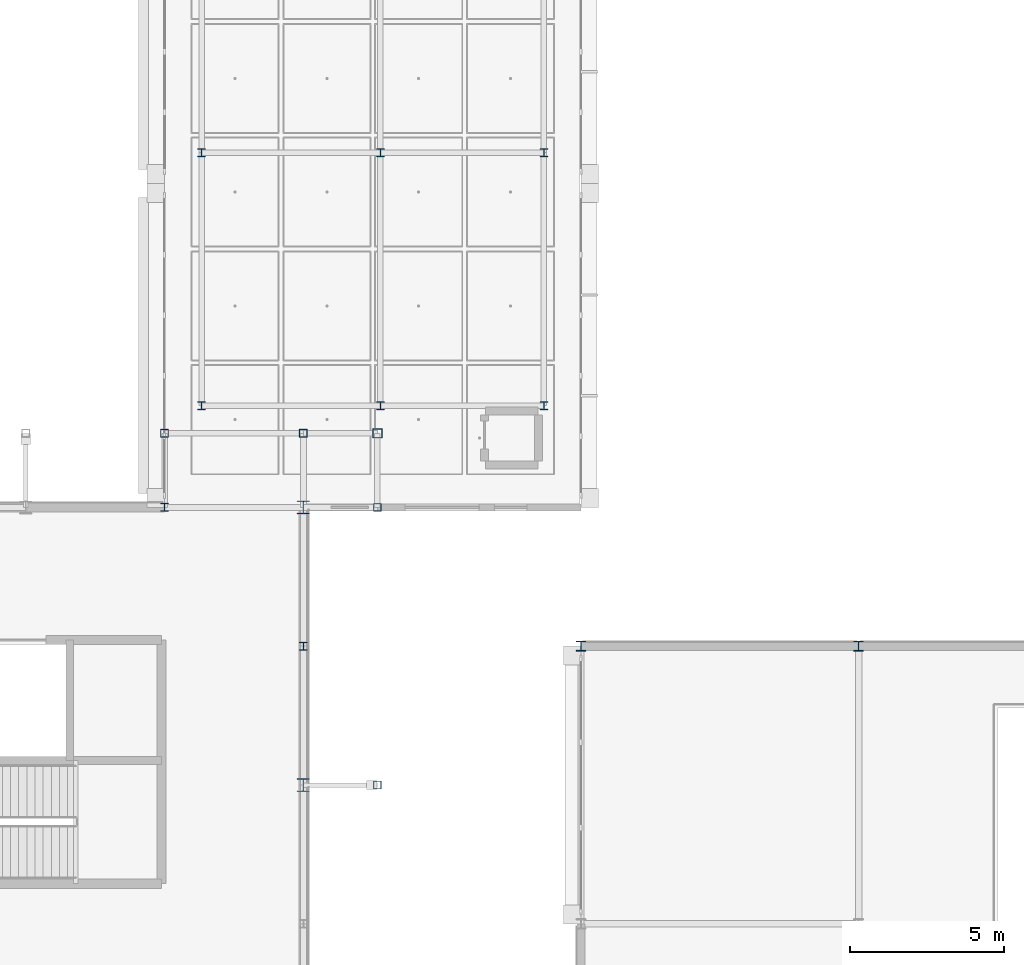
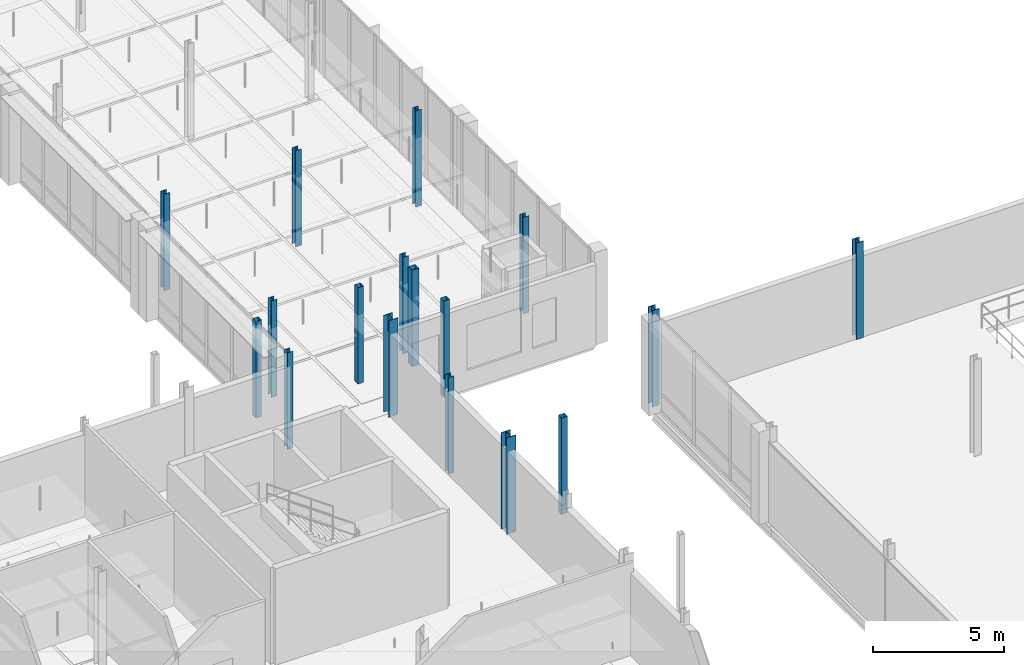
# One storey, part 11 of 130: 17 columns.
"""IFC4 building model written with IfcOpenShell, lengths in metres."""

from ifc_helpers import new_model, si_unit, direction, frame, origin, origin_2d, place, context, subcontext, project, spatial, hollow_rectangle, i_section, extrude, material, material_profile, profile_set, type_object, element, save


model = new_model("IFC4")

# Units and contexts
model_context = context("Model", 3, precision=1e-05, world=origin(), true_north=direction((0.0, 1.0)))
body_context = subcontext(model_context, "Body", "Model", "MODEL_VIEW")
ifc_project = project(units=[si_unit("LENGTHUNIT", "METRE"), si_unit("AREAUNIT", "SQUARE_METRE"), si_unit("VOLUMEUNIT", "CUBIC_METRE"), si_unit("PLANEANGLEUNIT", "RADIAN"), si_unit("MASSUNIT", "GRAM", prefix="KILO"), si_unit("THERMODYNAMICTEMPERATUREUNIT", "KELVIN"), si_unit("POWERUNIT", "WATT")], contexts=[model_context])

# Site, building, storey
site_placement = place(None, origin())
site = spatial("IfcSite", under=ifc_project, at=site_placement, CompositionType="ELEMENT")
building_placement = place(site_placement, origin())
building = spatial("IfcBuilding", under=site, at=building_placement, Name="Tallowbark Science Centre", CompositionType="ELEMENT")
storey_placement = place(building_placement, frame((0.0, 0.0, 5.39990234375)))
storey = spatial("IfcBuildingStorey", under=building, at=storey_placement, Name="L01", CompositionType="ELEMENT", Elevation=5.39990234375)

# Columns
ifc_material_1 = material(Name="White Architectural Painted Steel Grade C350L0 (350 MPa)", Category="steel")
ifc_material_profile_1 = material_profile(ifc_material_1, hollow_rectangle(XDim=0.25, YDim=0.25, WallThickness=0.009033203125, at=origin_2d()), Name="250x250x9.0SHS")
ifc_profile_set_1 = profile_set([ifc_material_profile_1], Name="White Architectural Painted Steel Grade C350L0 (350 MPa)")
column_type_1 = type_object("IfcColumnType", Name="COL-SCR200", PredefinedType="COLUMN", material=ifc_profile_set_1)
for number, where, z_axis, x_axis, name in (
    (1, (103.5, 42.89990234375, 0.0), (0.0, 0.0, 1.0), (1.0, 0.0, 0.0), "Column SCR-N06 L01"),
    (2, (99.0, 42.89990234375, 0.0), (0.0, 0.0, 1.0), (1.0, 0.0, 0.0), "Column SCR-NLNK L01"),
    (3, (105.89990234375, 31.5, 0.0), (0.0, 0.0, 1.0), (1.0, 0.0, 0.0), "Column SCR-E04 L01"),
    (4, (105.89990234375, 40.5, 0.0), (0.0, 0.0, 1.0), (1.0, 0.0, 0.0), "Column SCR-E05 L01"),
):
    element("IfcColumn", number, at=place(storey_placement, frame(where, z_axis=z_axis, x_axis=x_axis)), inside=storey, type_object=column_type_1, Name=name, PredefinedType="COLUMN", context=body_context, shape_type="SweptSolid", body=[
        extrude(hollow_rectangle(XDim=0.25, YDim=0.25, WallThickness=0.009033203125, at=origin_2d()), origin(), (0.0, 0.0, 1.0), 4.5),
    ])
ifc_material_profile_2 = material_profile(ifc_material_1, hollow_rectangle(XDim=0.300048828125, YDim=0.300048828125, WallThickness=0.010009765625, at=origin_2d()), Name="300x300x10.0SHS")
ifc_profile_set_2 = profile_set([ifc_material_profile_2], Name="White Architectural Painted Steel Grade C350L0 (350 MPa)")
column_type_2 = type_object("IfcColumnType", Name="COL-SCR300", PredefinedType="COLUMN", material=ifc_profile_set_2)
column_placement = place(storey_placement, frame((105.89990234375, 42.89990234375, 0.0), z_axis=(0.0, 0.0, 1.0), x_axis=(1.0, 0.0, 0.0)))
element("IfcColumn", 5, at=column_placement, inside=storey, type_object=column_type_2, Name="Column SCR-N07 L01", PredefinedType="COLUMN", context=body_context, shape_type="SweptSolid", body=[
    extrude(hollow_rectangle(XDim=0.300048828125, YDim=0.300048828125, WallThickness=0.010009765625, at=origin_2d()), origin(), (0.0, 0.0, 1.0), 4.5),
])
ifc_material_2 = material(Name="Structural Steel Grade 300PLUS (300 MPa)", Category="steel")
ifc_material_profile_3 = material_profile(ifc_material_2, i_section(OverallWidth=0.256103515625, OverallDepth=0.260009765625, WebThickness=0.010498046875, FlangeThickness=0.017333984375, FilletRadius=0.013916015625, at=origin_2d()), Name="250UC89.5")
ifc_profile_set_3 = profile_set([ifc_material_profile_3], Name="Structural Steel Grade 300PLUS (300 MPa)")
column_type_3 = type_object("IfcColumnType", Name="COL-UC250A", PredefinedType="COLUMN", material=ifc_profile_set_3)
for number, where, z_axis, x_axis, name in (
    (6, (100.199951171875, 43.800048828125, 0.0), (0.0, 0.0, 1.0), (1.0, 0.0, 0.0), "Column LNK-0_0 L01"),
    (7, (100.199951171875, 52.0, 0.0), (0.0, 0.0, 1.0), (1.0, 0.0, 0.0), "Column LNK-0_1 L01"),
    (8, (106.0, 43.800048828125, 0.0), (0.0, 0.0, 1.0), (1.0, 0.0, 0.0), "Column LNK-1_0 L01"),
    (9, (106.0, 52.0, 0.0), (0.0, 0.0, 1.0), (1.0, 0.0, 0.0), "Column LNK-1_1 L01"),
    (10, (111.300048828125, 43.800048828125, 0.0), (0.0, 0.0, 1.0), (1.0, 0.0, 0.0), "Column LNK-2_0 L01"),
    (11, (111.300048828125, 52.0, 0.0), (0.0, 0.0, 1.0), (1.0, 0.0, 0.0), "Column LNK-2_1 L01"),
):
    element("IfcColumn", number, at=place(storey_placement, frame(where, z_axis=z_axis, x_axis=x_axis)), inside=storey, type_object=column_type_3, Name=name, PredefinedType="COLUMN", context=body_context, shape_type="SweptSolid", body=[
        extrude(i_section(OverallWidth=0.256103515625, OverallDepth=0.260009765625, WebThickness=0.010498046875, FlangeThickness=0.017333984375, FilletRadius=0.013916015625, at=origin_2d()), origin(), (0.0, 0.0, 1.0), 4.5),
    ])
ifc_material_profile_4 = material_profile(ifc_material_2, i_section(OverallWidth=0.311279296875, OverallDepth=0.3271484375, WebThickness=0.015625, FlangeThickness=0.02490234375, FilletRadius=0.0166015625, at=origin_2d()), Name="310UC158")
ifc_profile_set_4 = profile_set([ifc_material_profile_4], Name="Structural Steel Grade 300PLUS (300 MPa)")
column_type_4 = type_object("IfcColumnType", Name="COL-UC310A", PredefinedType="COLUMN", material=ifc_profile_set_4)
for number, where, z_axis, x_axis, name in (
    (12, (112.5, 36.0, 0.0), (0.0, 0.0, 1.0), (1.0, 0.0, 0.0), "Column THT-M0_4 L01"),
    (13, (121.5, 36.0, 0.0), (0.0, 0.0, 1.0), (1.0, 0.0, 0.0), "Column THT-M1_4 L01"),
):
    element("IfcColumn", number, at=place(storey_placement, frame(where, z_axis=z_axis, x_axis=x_axis)), inside=storey, type_object=column_type_4, Name=name, PredefinedType="COLUMN", context=body_context, shape_type="SweptSolid", body=[
        extrude(i_section(OverallWidth=0.311279296875, OverallDepth=0.3271484375, WebThickness=0.015625, FlangeThickness=0.02490234375, FilletRadius=0.0166015625, at=origin_2d()), origin(), (0.0, 0.0, 1.0), 4.5),
    ])
ifc_material_profile_5 = material_profile(ifc_material_2, i_section(OverallWidth=0.39990234375, OverallDepth=0.427978515625, WebThickness=0.02001953125, FlangeThickness=0.028076171875, FilletRadius=0.01611328125, at=origin_2d()), Name="400WC270")
ifc_profile_set_5 = profile_set([ifc_material_profile_5], Name="Structural Steel Grade 300PLUS (300 MPa)")
column_type_5 = type_object("IfcColumnType", Name="COL-WC400", PredefinedType="COLUMN", material=ifc_profile_set_5)
for number, where, z_axis, x_axis, name in (
    (14, (103.5, 31.5, 0.0), (0.0, 0.0, 1.0), (1.0, 0.0, 0.0), "Column CUB-M5_3 L01"),
    (15, (103.5, 40.5, 0.0), (0.0, 0.0, 1.0), (1.0, 0.0, 0.0), "Column CUB-M5_4 L01"),
):
    element("IfcColumn", number, at=place(storey_placement, frame(where, z_axis=z_axis, x_axis=x_axis)), inside=storey, type_object=column_type_5, Name=name, PredefinedType="COLUMN", context=body_context, shape_type="SweptSolid", body=[
        extrude(i_section(OverallWidth=0.39990234375, OverallDepth=0.427978515625, WebThickness=0.02001953125, FlangeThickness=0.028076171875, FilletRadius=0.01611328125, at=origin_2d()), origin(), (0.0, 0.0, 1.0), 4.5),
    ])
ifc_material_profile_6 = material_profile(ifc_material_2, i_section(OverallWidth=0.256103515625, OverallDepth=0.260009765625, WebThickness=0.010498046875, FlangeThickness=0.017333984375, FilletRadius=0.013916015625, at=origin_2d()), Name="250UC89.5")
ifc_profile_set_6 = profile_set([ifc_material_profile_6], Name="Structural Steel Grade 300PLUS (300 MPa)")
column_type_6 = type_object("IfcColumnType", Name="PIL-UC250", PredefinedType="PILASTER", material=ifc_profile_set_6)
for number, where, z_axis, x_axis, name in (
    (16, (99.0, 40.5, 0.0), (0.0, 0.0, 1.0), (1.0, 0.0, 0.0), "Column CUB-PN-4 L01"),
    (17, (103.5, 36.0, 0.0), (0.0, 0.0, 1.0), (1.0, 0.0, 0.0), "Column CUB-PE-3 L01"),
):
    element("IfcColumn", number, at=place(storey_placement, frame(where, z_axis=z_axis, x_axis=x_axis)), inside=storey, type_object=column_type_6, Name=name, PredefinedType="PILASTER", context=body_context, shape_type="SweptSolid", body=[
        extrude(i_section(OverallWidth=0.256103515625, OverallDepth=0.260009765625, WebThickness=0.010498046875, FlangeThickness=0.017333984375, FilletRadius=0.013916015625, at=origin_2d()), origin(), (0.0, 0.0, 1.0), 4.5),
    ])

save(model, "model.ifc")
